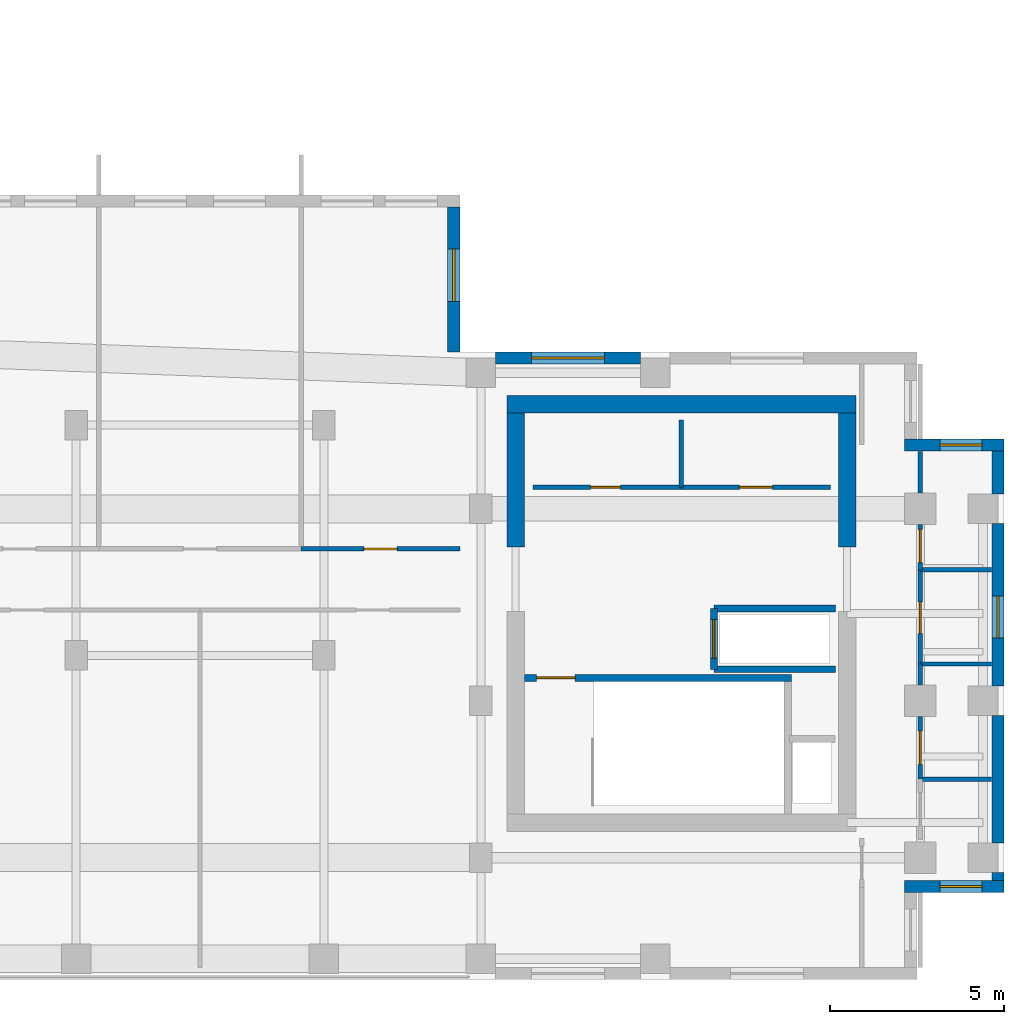
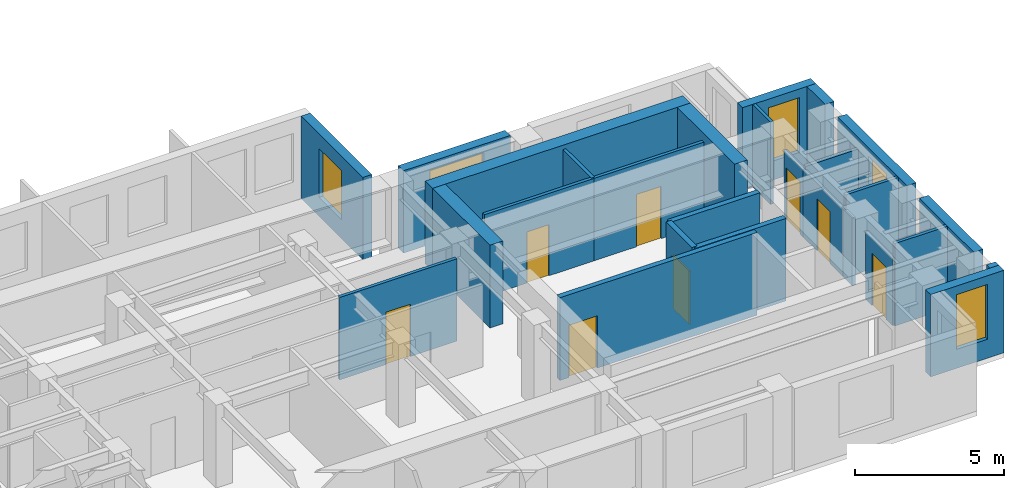
# One storey, part 9 of 13: 27 walls, 8 doors, 5 windows, 13 openings.
"""IFC4 building model written with IfcOpenShell, lengths in metres."""

from ifc_helpers import new_model, si_unit, direction, frame, frame_2d, origin, place, context, subcontext, project, spatial, rectangle, extrude, source, transform, mapped, material, layer, layer_set, type_object, element, fill, save


model = new_model("IFC4")

# Units and contexts
model_context = context("Model", 3, precision=1e-05, world=origin(), true_north=direction((0.0, 1.0)))
body_context = subcontext(model_context, "Body", "Model", "MODEL_VIEW")
ifc_project = project(units=[si_unit("LENGTHUNIT", "METRE"), si_unit("AREAUNIT", "SQUARE_METRE"), si_unit("VOLUMEUNIT", "CUBIC_METRE"), si_unit("PLANEANGLEUNIT", "RADIAN"), si_unit("MASSUNIT", "GRAM", prefix="KILO")], contexts=[model_context])

# Site, building, storey
site_placement = place(None, origin())
site = spatial("IfcSite", under=ifc_project, at=site_placement, CompositionType="ELEMENT")
building_placement = place(site_placement, origin())
building = spatial("IfcBuilding", under=site, at=building_placement, Name="Kharzan Plaza Tower", CompositionType="ELEMENT")
storey_placement = place(building_placement, frame((0.0, 0.0, 259.199951171875)))
storey = spatial("IfcBuildingStorey", under=building, at=storey_placement, Name="L70", CompositionType="ELEMENT", Elevation=259.199951171875)

# Wall, opening, window
ifc_material_1 = material(Name="Concrete C40/50", Category="concrete")
ifc_layer_1 = layer(ifc_material_1, 0.35009765625)
ifc_layer_set_1 = layer_set([ifc_layer_1], Name="Concrete C40/50")
wall_type_1 = type_object("IfcWallType", Name="WL-EXT-MAS-Z4", PredefinedType="SOLIDWALL", material=ifc_layer_set_1)
wall_1_placement = place(storey_placement, frame((47.14990234375, 2.675048828125, 0.0), z_axis=(0.0, 0.0, 1.0), x_axis=(1.0, 0.0, 0.0)))
wall_1 = element("IfcWall", 1, at=wall_1_placement, inside=storey, type_object=wall_type_1, Name="L70 Masonry-Frame Exterior Wall 33", PredefinedType="SOLIDWALL", context=body_context, shape_type="SweptSolid", body=[
    extrude(rectangle(XDim=2.85009765625, YDim=0.35009765625, at=frame_2d((1.425048828125, 0.0))), origin(), (0.0, 0.0, 1.0), 3.385009765625),
])
opening_1_placement = place(wall_1_placement, frame((1.014892578125, 0.0, 0.780029296875)))
opening_1 = element("IfcOpeningElement", 2, at=opening_1_placement, cuts=wall_1, Name="Opening W3", PredefinedType="OPENING", context=body_context, shape_type="SweptSolid", body=[
    extrude(rectangle(XDim=1.199951171875, YDim=2.25, at=frame_2d((0.60009765625, 1.125))), frame((0.0, 0.18505859375, 0.0), z_axis=(0.0, -1.0, 0.0), x_axis=(1.0, 0.0, 0.0)), (0.0, 0.0, 1.0), 0.3701171875),
])
ifc_material_2 = material(Name="Low-E Double Glazing", Category="glass")
window_type_1 = type_object("IfcWindowType", Name="WN-REC-1200x2100", PartitioningType="SINGLE_PANEL", PredefinedType="WINDOW", material=ifc_material_2)
shared_shape_1 = source(origin(), body_context, "Body", "SweptSolid", [
    extrude(rectangle(XDim=1.199951171875, YDim=2.25, at=frame_2d((0.60009765625, 1.125))), frame((0.0, 0.030029296875, 0.0), z_axis=(0.0, -1.0, 0.0), x_axis=(1.0, 0.0, 0.0)), (0.0, 0.0, 1.0), 0.06005859375),
])
window_1_placement = place(opening_1_placement, origin())
window_1 = element("IfcWindow", 3, at=window_1_placement, inside=storey, type_object=window_type_1, Name="L70 Recessed Solar-Control Window 33-1", OverallHeight=2.25, OverallWidth=1.199951171875, PartitioningType="SINGLE_PANEL", PredefinedType="WINDOW", context=body_context, shape_type="MappedRepresentation", body=[
    mapped(shared_shape_1, transform((0.0, 0.0, 0.0), x_axis=(1.0, 0.0, 0.0), y_axis=(0.0, 1.0, 0.0), z_axis=(0.0, 0.0, 1.0))),
])
fill(opening_1, window_1)

wall_2_placement = place(storey_placement, frame((49.824951171875, 8.423095703125, 0.0), z_axis=(0.0, 0.0, 1.0), x_axis=(0.0, 1.0, 0.0)))
wall_2 = element("IfcWall", 4, at=wall_2_placement, inside=storey, type_object=wall_type_1, Name="L70 Masonry-Frame Exterior Wall 36", PredefinedType="SOLIDWALL", context=body_context, shape_type="SweptSolid", body=[
    extrude(rectangle(XDim=4.65380859375, YDim=0.35009765625, at=frame_2d((2.326904296875, 0.0))), origin(), (0.0, 0.0, 1.0), 3.385009765625),
])
opening_2_placement = place(wall_2_placement, frame((1.376953125, 0.0, 0.780029296875)))
opening_2 = element("IfcOpeningElement", 5, at=opening_2_placement, cuts=wall_2, Name="Opening W3", PredefinedType="OPENING", context=body_context, shape_type="SweptSolid", body=[
    extrude(rectangle(XDim=1.199951171875, YDim=2.25, at=frame_2d((0.60009765625, 1.125))), frame((0.0, 0.18505859375, 0.0), z_axis=(0.0, -1.0, 0.0), x_axis=(1.0, 0.0, 0.0)), (0.0, 0.0, 1.0), 0.3701171875),
])
window_2_placement = place(opening_2_placement, origin())
window_2 = element("IfcWindow", 6, at=window_2_placement, inside=storey, type_object=window_type_1, Name="L70 Recessed Solar-Control Window 36-1", OverallHeight=2.25, OverallWidth=1.199951171875, PartitioningType="SINGLE_PANEL", PredefinedType="WINDOW", context=body_context, shape_type="MappedRepresentation", body=[
    mapped(shared_shape_1, transform((0.0, 0.0, 0.0), x_axis=(1.0, 0.0, 0.0), y_axis=(0.0, 1.0, 0.0), z_axis=(0.0, 0.0, 1.0))),
])
fill(opening_2, window_2)

wall_3_placement = place(storey_placement, frame((50.0, 15.324951171875, 0.0), z_axis=(0.0, 0.0, 1.0), x_axis=(-1.0, 0.0, 0.0)))
wall_3 = element("IfcWall", 7, at=wall_3_placement, inside=storey, type_object=wall_type_1, Name="L70 Masonry-Frame Exterior Wall 38", PredefinedType="SOLIDWALL", context=body_context, shape_type="SweptSolid", body=[
    extrude(rectangle(XDim=2.85009765625, YDim=0.35009765625, at=frame_2d((1.425048828125, 0.0))), origin(), (0.0, 0.0, 1.0), 3.385009765625),
])
opening_3_placement = place(wall_3_placement, frame((0.635009765625, 0.0, 0.780029296875)))
opening_3 = element("IfcOpeningElement", 8, at=opening_3_placement, cuts=wall_3, Name="Opening W3", PredefinedType="OPENING", context=body_context, shape_type="SweptSolid", body=[
    extrude(rectangle(XDim=1.199951171875, YDim=2.25, at=frame_2d((0.60009765625, 1.125))), frame((0.0, 0.18505859375, 0.0), z_axis=(0.0, -1.0, 0.0), x_axis=(1.0, 0.0, 0.0)), (0.0, 0.0, 1.0), 0.3701171875),
])
window_3_placement = place(opening_3_placement, origin())
window_3 = element("IfcWindow", 9, at=window_3_placement, inside=storey, type_object=window_type_1, Name="L70 Recessed Solar-Control Window 38-1", OverallHeight=2.25, OverallWidth=1.199951171875, PartitioningType="SINGLE_PANEL", PredefinedType="WINDOW", context=body_context, shape_type="MappedRepresentation", body=[
    mapped(shared_shape_1, transform((0.0, 0.0, 0.0), x_axis=(1.0, 0.0, 0.0), y_axis=(0.0, 1.0, 0.0), z_axis=(0.0, 0.0, 1.0))),
])
fill(opening_3, window_3)

wall_4_placement = place(storey_placement, frame((39.576904296875, 17.824951171875, 0.0), z_axis=(0.0, 0.0, 1.0), x_axis=(-1.0, 0.0, 0.0)))
wall_4 = element("IfcWall", 10, at=wall_4_placement, inside=storey, type_object=wall_type_1, Name="L70 Masonry-Frame Exterior Wall 41", PredefinedType="SOLIDWALL", context=body_context, shape_type="SweptSolid", body=[
    extrude(rectangle(XDim=4.15380859375, YDim=0.35009765625, at=frame_2d((2.076904296875, 0.0))), origin(), (0.0, 0.0, 1.0), 3.385009765625),
])
opening_4_placement = place(wall_4_placement, frame((1.027099609375, 0.0, 0.780029296875)))
opening_4 = element("IfcOpeningElement", 11, at=opening_4_placement, cuts=wall_4, Name="Opening W6", PredefinedType="OPENING", context=body_context, shape_type="SweptSolid", body=[
    extrude(rectangle(XDim=2.10009765625, YDim=2.25, at=frame_2d((1.050048828125, 1.125))), frame((0.0, 0.18505859375, 0.0), z_axis=(0.0, -1.0, 0.0), x_axis=(1.0, 0.0, 0.0)), (0.0, 0.0, 1.0), 0.3701171875),
])
window_type_2 = type_object("IfcWindowType", Name="WN-EXEC-2100x2250", PartitioningType="SINGLE_PANEL", PredefinedType="WINDOW", material=ifc_material_2)
shared_shape_2 = source(origin(), body_context, "Body", "SweptSolid", [
    extrude(rectangle(XDim=2.10009765625, YDim=2.25, at=frame_2d((1.050048828125, 1.125))), frame((0.0, 0.030029296875, 0.0), z_axis=(0.0, -1.0, 0.0), x_axis=(1.0, 0.0, 0.0)), (0.0, 0.0, 1.0), 0.06005859375),
])
window_4_placement = place(opening_4_placement, origin())
window_4 = element("IfcWindow", 12, at=window_4_placement, inside=storey, type_object=window_type_2, Name="L70 Recessed Solar-Control Window 41-1", OverallHeight=2.25, OverallWidth=2.10009765625, PartitioningType="SINGLE_PANEL", PredefinedType="WINDOW", context=body_context, shape_type="MappedRepresentation", body=[
    mapped(shared_shape_2, transform((0.0, 0.0, 0.0), x_axis=(1.0, 0.0, 0.0), y_axis=(0.0, 1.0, 0.0), z_axis=(0.0, 0.0, 1.0))),
])
fill(opening_4, window_4)

wall_5_placement = place(storey_placement, frame((34.22509765625, 17.998046875, 0.0), z_axis=(0.0, 0.0, 1.0), x_axis=(0.0, 1.0, 0.0)))
wall_5 = element("IfcWall", 13, at=wall_5_placement, inside=storey, type_object=wall_type_1, Name="L70 Masonry-Frame Exterior Wall 42", PredefinedType="SOLIDWALL", context=body_context, shape_type="SweptSolid", body=[
    extrude(rectangle(XDim=4.154052734375, YDim=0.35009765625, at=frame_2d((2.0771484375, 0.0))), origin(), (0.0, 0.0, 1.0), 3.385009765625),
])
opening_5_placement = place(wall_5_placement, frame((1.447021484375, 0.0, 0.780029296875)))
opening_5 = element("IfcOpeningElement", 14, at=opening_5_placement, cuts=wall_5, Name="Opening W5", PredefinedType="OPENING", context=body_context, shape_type="SweptSolid", body=[
    extrude(rectangle(XDim=1.5, YDim=2.0, at=frame_2d((0.75, 1.0))), frame((0.0, 0.18505859375, 0.0), z_axis=(0.0, -1.0, 0.0), x_axis=(1.0, 0.0, 0.0)), (0.0, 0.0, 1.0), 0.3701171875),
])
window_type_3 = type_object("IfcWindowType", Name="WN-SLT-1500x2000", PartitioningType="SINGLE_PANEL", PredefinedType="WINDOW", material=ifc_material_2)
shared_shape_3 = source(origin(), body_context, "Body", "SweptSolid", [
    extrude(rectangle(XDim=1.5, YDim=2.0, at=frame_2d((0.75, 1.0))), frame((0.0, 0.030029296875, 0.0), z_axis=(0.0, -1.0, 0.0), x_axis=(1.0, 0.0, 0.0)), (0.0, 0.0, 1.0), 0.06005859375),
])
window_5_placement = place(opening_5_placement, origin())
window_5 = element("IfcWindow", 15, at=window_5_placement, inside=storey, type_object=window_type_3, Name="L70 Recessed Solar-Control Window 42-1", OverallHeight=2.0, OverallWidth=1.5, PartitioningType="SINGLE_PANEL", PredefinedType="WINDOW", context=body_context, shape_type="MappedRepresentation", body=[
    mapped(shared_shape_3, transform((0.0, 0.0, 0.0), x_axis=(1.0, 0.0, 0.0), y_axis=(0.0, 1.0, 0.0), z_axis=(0.0, 0.0, 1.0))),
])
fill(opening_5, window_5)

# Wall, opening, door
ifc_material_3 = material(Name="Fire-Rated Gypsum Board Partition", Category="gypsum")
ifc_layer_2 = layer(ifc_material_3, 0.125)
ifc_layer_set_2 = layer_set([ifc_layer_2], Name="Fire-Rated Gypsum Board Partition")
wall_type_2 = type_object("IfcWallType", Name="WL-INT-PART-125", PredefinedType="PARTITIONING", material=ifc_layer_set_2)
wall_6_placement = place(storey_placement, frame((36.5, 14.1201171875, 0.0), z_axis=(0.0, 0.0, 1.0), x_axis=(1.0, 0.0, 0.0)))
wall_6 = element("IfcWall", 16, at=wall_6_placement, inside=storey, type_object=wall_type_2, Name="L70 Interior Partition CB-RBLS1", PredefinedType="PARTITIONING", context=body_context, shape_type="SweptSolid", body=[
    extrude(rectangle(XDim=4.25, YDim=0.125, at=frame_2d((2.125, 0.0))), origin(), (0.0, 0.0, 1.0), 3.385009765625),
])
opening_6_placement = place(wall_6_placement, frame((1.64990234375, 0.0, 0.0)))
opening_6 = element("IfcOpeningElement", 17, at=opening_6_placement, cuts=wall_6, Name="Opening RD1", PredefinedType="OPENING", context=body_context, shape_type="SweptSolid", body=[
    extrude(rectangle(XDim=0.85009765625, YDim=2.10009765625, at=frame_2d((0.425048828125, 1.050048828125))), frame((0.0, 0.072509765625, 0.0), z_axis=(0.0, -1.0, 0.0), x_axis=(1.0, 0.0, 0.0)), (0.0, 0.0, 1.0), 0.14501953125),
])
ifc_material_4 = material(Name="Powder-Coated Fire-Rated Steel", Category="steel")
door_type_1 = type_object("IfcDoorType", Name="DR-RISER-900", OperationType="NOTDEFINED", PredefinedType="DOOR", material=ifc_material_4)
shared_shape_4 = source(origin(), body_context, "Body", "SweptSolid", [
    extrude(rectangle(XDim=0.85009765625, YDim=2.10009765625, at=frame_2d((0.425048828125, 1.050048828125))), frame((0.0, 0.02490234375, 0.0), z_axis=(0.0, -1.0, 0.0), x_axis=(1.0, 0.0, 0.0)), (0.0, 0.0, 1.0), 0.050048828125),
])
door_1_placement = place(opening_6_placement, origin())
door_1 = element("IfcDoor", 18, at=door_1_placement, inside=storey, type_object=door_type_1, Name="L70 Archive Room Door", OperationType="SINGLE_SWING_RIGHT", OverallHeight=2.10009765625, OverallWidth=0.85009765625, PredefinedType="DOOR", context=body_context, shape_type="MappedRepresentation", body=[
    mapped(shared_shape_4, transform((0.0, 0.0, 0.0), x_axis=(1.0, 0.0, 0.0), y_axis=(0.0, 1.0, 0.0), z_axis=(0.0, 0.0, 1.0))),
])
fill(opening_6, door_1)

wall_7_placement = place(storey_placement, frame((40.75, 14.1201171875, 0.0), z_axis=(0.0, 0.0, 1.0), x_axis=(1.0, 0.0, 0.0)))
wall_7 = element("IfcWall", 19, at=wall_7_placement, inside=storey, type_object=wall_type_2, Name="L70 Interior Partition CB-RBLS2", PredefinedType="PARTITIONING", context=body_context, shape_type="SweptSolid", body=[
    extrude(rectangle(XDim=4.27001953125, YDim=0.125, at=frame_2d((2.135009765625, 0.0))), origin(), (0.0, 0.0, 1.0), 3.385009765625),
])
opening_7_placement = place(wall_7_placement, frame((1.659912109375, 0.0, 0.0)))
opening_7 = element("IfcOpeningElement", 20, at=opening_7_placement, cuts=wall_7, Name="Opening OD1", PredefinedType="OPENING", context=body_context, shape_type="SweptSolid", body=[
    extrude(rectangle(XDim=0.949951171875, YDim=2.14990234375, at=frame_2d((0.47509765625, 1.074951171875))), frame((0.0, 0.072509765625, 0.0), z_axis=(0.0, -1.0, 0.0), x_axis=(1.0, 0.0, 0.0)), (0.0, 0.0, 1.0), 0.14501953125),
])
ifc_material_5 = material(Name="Acoustic Solid-Core Stained Oak", Category="timber")
door_type_2 = type_object("IfcDoorType", Name="DR-OFF-SINGLE", OperationType="NOTDEFINED", PredefinedType="DOOR", material=ifc_material_5)
shared_shape_5 = source(origin(), body_context, "Body", "SweptSolid", [
    extrude(rectangle(XDim=0.949951171875, YDim=2.14990234375, at=frame_2d((0.47509765625, 1.074951171875))), frame((0.0, 0.02490234375, 0.0), z_axis=(0.0, -1.0, 0.0), x_axis=(1.0, 0.0, 0.0)), (0.0, 0.0, 1.0), 0.050048828125),
])
door_2_placement = place(opening_7_placement, origin())
door_2 = element("IfcDoor", 21, at=door_2_placement, inside=storey, type_object=door_type_2, Name="L70 Print Room Door", OperationType="SINGLE_SWING_LEFT", OverallHeight=2.14990234375, OverallWidth=0.949951171875, PredefinedType="DOOR", context=body_context, shape_type="MappedRepresentation", body=[
    mapped(shared_shape_5, transform((0.0, 0.0, 0.0), x_axis=(1.0, 0.0, 0.0), y_axis=(0.0, 1.0, 0.0), z_axis=(0.0, 0.0, 1.0))),
])
fill(opening_7, door_2)

wall_8_placement = place(storey_placement, frame((47.60009765625, 5.75, 0.0), z_axis=(0.0, 0.0, 1.0), x_axis=(0.0, 1.0, 0.0)))
wall_8 = element("IfcWall", 22, at=wall_8_placement, inside=storey, type_object=wall_type_2, Name="L70 Interior Partition SH-B3W1-S1", PredefinedType="PARTITIONING", context=body_context, shape_type="SweptSolid", body=[
    extrude(rectangle(XDim=1.800048828125, YDim=0.125, at=frame_2d((0.89990234375, 0.0))), origin(), (0.0, 0.0, 1.0), 2.77294921875),
])
opening_8_placement = place(wall_8_placement, frame((0.425048828125, 0.0, 0.0)))
opening_8 = element("IfcOpeningElement", 23, at=opening_8_placement, cuts=wall_8, Name="Opening OD1", PredefinedType="OPENING", context=body_context, shape_type="SweptSolid", body=[
    extrude(rectangle(XDim=0.949951171875, YDim=2.14990234375, at=frame_2d((0.47509765625, 1.074951171875))), frame((0.0, 0.072509765625, 0.0), z_axis=(0.0, -1.0, 0.0), x_axis=(1.0, 0.0, 0.0)), (0.0, 0.0, 1.0), 0.14501953125),
])
door_3_placement = place(opening_8_placement, origin())
door_3 = element("IfcDoor", 24, at=door_3_placement, inside=storey, type_object=door_type_2, Name="L70 Wing B Office 2 Door", OperationType="SINGLE_SWING_LEFT", OverallHeight=2.14990234375, OverallWidth=0.949951171875, PredefinedType="DOOR", context=body_context, shape_type="MappedRepresentation", body=[
    mapped(shared_shape_5, transform((0.0, 0.0, 0.0), x_axis=(1.0, 0.0, 0.0), y_axis=(0.0, 1.0, 0.0), z_axis=(0.0, 0.0, 1.0))),
])
fill(opening_8, door_3)

wall_9_placement = place(storey_placement, frame((47.60009765625, 11.75, 0.0), z_axis=(0.0, 0.0, 1.0), x_axis=(0.0, 1.0, 0.0)))
wall_9 = element("IfcWall", 25, at=wall_9_placement, inside=storey, type_object=wall_type_2, Name="L70 Interior Partition SH-B3W2-S1", PredefinedType="PARTITIONING", context=body_context, shape_type="SweptSolid", body=[
    extrude(rectangle(XDim=1.300048828125, YDim=0.125, at=frame_2d((0.64990234375, 0.0))), origin(), (0.0, 0.0, 1.0), 2.77294921875),
])
opening_9_placement = place(wall_9_placement, frame((0.2099609375, 0.0, 0.0)))
opening_9 = element("IfcOpeningElement", 26, at=opening_9_placement, cuts=wall_9, Name="Opening OD1", PredefinedType="OPENING", context=body_context, shape_type="SweptSolid", body=[
    extrude(rectangle(XDim=0.949951171875, YDim=2.14990234375, at=frame_2d((0.47509765625, 1.074951171875))), frame((0.0, 0.072509765625, 0.0), z_axis=(0.0, -1.0, 0.0), x_axis=(1.0, 0.0, 0.0)), (0.0, 0.0, 1.0), 0.14501953125),
])
door_4_placement = place(opening_9_placement, origin())
door_4 = element("IfcDoor", 27, at=door_4_placement, inside=storey, type_object=door_type_2, Name="L70 Wing B Office 3 Door", OperationType="SINGLE_SWING_LEFT", OverallHeight=2.14990234375, OverallWidth=0.949951171875, PredefinedType="DOOR", context=body_context, shape_type="MappedRepresentation", body=[
    mapped(shared_shape_5, transform((0.0, 0.0, 0.0), x_axis=(1.0, 0.0, 0.0), y_axis=(0.0, 1.0, 0.0), z_axis=(0.0, 0.0, 1.0))),
])
fill(opening_9, door_4)

wall_10_placement = place(storey_placement, frame((47.60009765625, 9.050048828125, 0.0), z_axis=(0.0, 0.0, 1.0), x_axis=(0.0, 1.0, 0.0)))
wall_10 = element("IfcWall", 28, at=wall_10_placement, inside=storey, type_object=wall_type_2, Name="L70 Interior Partition SH-B3WC", PredefinedType="PARTITIONING", context=body_context, shape_type="SweptSolid", body=[
    extrude(rectangle(XDim=2.699951171875, YDim=0.125, at=frame_2d((1.35009765625, 0.0))), origin(), (0.0, 0.0, 1.0), 2.77294921875),
])
opening_10_placement = place(wall_10_placement, frame((0.875, 0.0, 0.0)))
opening_10 = element("IfcOpeningElement", 29, at=opening_10_placement, cuts=wall_10, Name="Opening WD1", PredefinedType="OPENING", context=body_context, shape_type="SweptSolid", body=[
    extrude(rectangle(XDim=0.89990234375, YDim=2.14990234375, at=frame_2d((0.449951171875, 1.074951171875))), frame((0.0, 0.072509765625, 0.0), z_axis=(0.0, -1.0, 0.0), x_axis=(1.0, 0.0, 0.0)), (0.0, 0.0, 1.0), 0.14501953125),
])
ifc_material_6 = material(Name="Moisture-Resistant Fire-Rated Laminate", Category="timber")
door_type_3 = type_object("IfcDoorType", Name="DR-WC-900", OperationType="NOTDEFINED", PredefinedType="DOOR", material=ifc_material_6)
shared_shape_6 = source(origin(), body_context, "Body", "SweptSolid", [
    extrude(rectangle(XDim=0.89990234375, YDim=2.14990234375, at=frame_2d((0.449951171875, 1.074951171875))), frame((0.0, 0.02490234375, 0.0), z_axis=(0.0, -1.0, 0.0), x_axis=(1.0, 0.0, 0.0)), (0.0, 0.0, 1.0), 0.050048828125),
])
door_5_placement = place(opening_10_placement, origin())
door_5 = element("IfcDoor", 30, at=door_5_placement, inside=storey, type_object=door_type_3, Name="L70 Wing B Washroom Door", OperationType="SINGLE_SWING_LEFT", OverallHeight=2.14990234375, OverallWidth=0.89990234375, PredefinedType="DOOR", context=body_context, shape_type="MappedRepresentation", body=[
    mapped(shared_shape_6, transform((0.0, 0.0, 0.0), x_axis=(1.0, 0.0, 0.0), y_axis=(0.0, 1.0, 0.0), z_axis=(0.0, 0.0, 1.0))),
])
fill(opening_10, door_5)

wall_11_placement = place(storey_placement, frame((29.85009765625, 12.35009765625, 0.0), z_axis=(0.0, 0.0, 1.0), x_axis=(1.0, 0.0, 0.0)))
wall_11 = element("IfcWall", 31, at=wall_11_placement, inside=storey, type_object=wall_type_2, Name="L70 Interior Partition SH-SPNE1", PredefinedType="PARTITIONING", context=body_context, shape_type="SweptSolid", body=[
    extrude(rectangle(XDim=4.5498046875, YDim=0.125, at=frame_2d((2.27490234375, 0.0))), origin(), (0.0, 0.0, 1.0), 3.385009765625),
])
opening_11_placement = place(wall_11_placement, frame((1.800048828125, 0.0, 0.0)))
opening_11 = element("IfcOpeningElement", 32, at=opening_11_placement, cuts=wall_11, Name="Opening OD1", PredefinedType="OPENING", context=body_context, shape_type="SweptSolid", body=[
    extrude(rectangle(XDim=0.949951171875, YDim=2.14990234375, at=frame_2d((0.47509765625, 1.074951171875))), frame((0.0, 0.072509765625, 0.0), z_axis=(0.0, -1.0, 0.0), x_axis=(1.0, 0.0, 0.0)), (0.0, 0.0, 1.0), 0.14501953125),
])
door_6_placement = place(opening_11_placement, origin())
door_6 = element("IfcDoor", 33, at=door_6_placement, inside=storey, type_object=door_type_2, Name="L70 North-East Spine Door", OperationType="SINGLE_SWING_RIGHT", OverallHeight=2.14990234375, OverallWidth=0.949951171875, PredefinedType="DOOR", context=body_context, shape_type="MappedRepresentation", body=[
    mapped(shared_shape_5, transform((0.0, 0.0, 0.0), x_axis=(1.0, 0.0, 0.0), y_axis=(0.0, 1.0, 0.0), z_axis=(0.0, 0.0, 1.0))),
])
fill(opening_11, door_6)

ifc_layer_3 = layer(ifc_material_1, 0.199951171875)
ifc_layer_set_3 = layer_set([ifc_layer_3], Name="Concrete C40/50")
wall_type_3 = type_object("IfcWallType", Name="WL-INT-SHAFT-200", PredefinedType="PARTITIONING", material=ifc_layer_set_3)
wall_12_placement = place(storey_placement, frame((41.679931640625, 8.89990234375, 0.0), z_axis=(0.0, 0.0, 1.0), x_axis=(0.0, 1.0, 0.0)))
wall_12 = element("IfcWall", 34, at=wall_12_placement, inside=storey, type_object=wall_type_3, Name="L70 Interior Partition SHF-SVL-2-W", PredefinedType="PARTITIONING", context=body_context, shape_type="SweptSolid", body=[
    extrude(rectangle(XDim=1.739990234375, YDim=0.199951171875, at=frame_2d((0.8701171875, 0.0))), origin(), (0.0, 0.0, 1.0), 3.385009765625),
])
opening_12_placement = place(wall_12_placement, frame((0.320068359375, 0.0, 0.0)))
opening_12 = element("IfcOpeningElement", 35, at=opening_12_placement, cuts=wall_12, Name="Opening LD", PredefinedType="OPENING", context=body_context, shape_type="SweptSolid", body=[
    extrude(rectangle(XDim=1.10009765625, YDim=2.199951171875, at=frame_2d((0.550048828125, 1.10009765625))), frame((0.0, 0.10986328125, 0.0), z_axis=(0.0, -1.0, 0.0), x_axis=(1.0, 0.0, 0.0)), (0.0, 0.0, 1.0), 0.219970703125),
])
ifc_material_7 = material(Name="Brushed Stainless Steel", Category="steel")
door_type_4 = type_object("IfcDoorType", Name="DR-LIFT-SLIDE", OperationType="SLIDING_TO_LEFT", PredefinedType="DOOR", material=ifc_material_7)
shared_shape_7 = source(origin(), body_context, "Body", "SweptSolid", [
    extrude(rectangle(XDim=1.10009765625, YDim=2.199951171875, at=frame_2d((0.550048828125, 1.10009765625))), frame((0.0, 0.02490234375, 0.0), z_axis=(0.0, -1.0, 0.0), x_axis=(1.0, 0.0, 0.0)), (0.0, 0.0, 1.0), 0.050048828125),
])
door_7_placement = place(opening_12_placement, origin())
door_7 = element("IfcDoor", 36, at=door_7_placement, inside=storey, type_object=door_type_4, Name="L70 Service Lift SVL-2 Sliding Landing Door", OperationType="SLIDING_TO_LEFT", OverallHeight=2.199951171875, OverallWidth=1.10009765625, PredefinedType="DOOR", context=body_context, shape_type="MappedRepresentation", body=[
    mapped(shared_shape_7, transform((0.0, 0.0, 0.0), x_axis=(1.0, 0.0, 0.0), y_axis=(0.0, 1.0, 0.0), z_axis=(0.0, 0.0, 1.0))),
])
fill(opening_12, door_7)

ifc_material_8 = material(Name="Concrete C50/60", Category="concrete")
ifc_layer_4 = layer(ifc_material_8, 0.199951171875)
ifc_layer_set_4 = layer_set([ifc_layer_4], Name="Concrete C50/60")
wall_type_4 = type_object("IfcWallType", Name="WL-SHAFT-RC200", PredefinedType="SHEAR", material=ifc_layer_set_4)
wall_13_placement = place(storey_placement, frame((36.251953125, 8.655029296875, 0.0), z_axis=(0.0, 0.0, 1.0), x_axis=(1.0, 0.0, 0.0)))
wall_13 = element("IfcWall", 37, at=wall_13_placement, inside=storey, type_object=wall_type_4, Name="L70 Stair ST-3 North RC Shaft Wall", PredefinedType="SHEAR", context=body_context, shape_type="SweptSolid", body=[
    extrude(rectangle(XDim=7.653076171875, YDim=0.199951171875, at=frame_2d((3.82666015625, 0.0))), origin(), (0.0, 0.0, 1.0), 3.400146484375),
])
opening_13_placement = place(wall_13_placement, frame((0.35009765625, 0.0, 0.0)))
opening_13 = element("IfcOpeningElement", 38, at=opening_13_placement, cuts=wall_13, Name="Opening SD1", PredefinedType="OPENING", context=body_context, shape_type="SweptSolid", body=[
    extrude(rectangle(XDim=1.10009765625, YDim=2.14990234375, at=frame_2d((0.550048828125, 1.074951171875))), frame((0.0, 0.10986328125, 0.0), z_axis=(0.0, -1.0, 0.0), x_axis=(1.0, 0.0, 0.0)), (0.0, 0.0, 1.0), 0.219970703125),
])
ifc_material_9 = material(Name="Fire-Rated Hollow Galvanized Steel", Category="steel")
door_type_5 = type_object("IfcDoorType", Name="DR-STAIR-FD120", OperationType="NOTDEFINED", PredefinedType="DOOR", material=ifc_material_9)
shared_shape_8 = source(origin(), body_context, "Body", "SweptSolid", [
    extrude(rectangle(XDim=1.10009765625, YDim=2.14990234375, at=frame_2d((0.550048828125, 1.074951171875))), frame((0.0, 0.02490234375, 0.0), z_axis=(0.0, -1.0, 0.0), x_axis=(1.0, 0.0, 0.0)), (0.0, 0.0, 1.0), 0.050048828125),
])
door_8_placement = place(opening_13_placement, origin())
door_8 = element("IfcDoor", 39, at=door_8_placement, inside=storey, type_object=door_type_5, Name="L70 Stair ST-3 Fire Exit Door", OperationType="SINGLE_SWING_LEFT", OverallHeight=2.14990234375, OverallWidth=1.10009765625, PredefinedType="DOOR", context=body_context, shape_type="MappedRepresentation", body=[
    mapped(shared_shape_8, transform((0.0, 0.0, 0.0), x_axis=(1.0, 0.0, 0.0), y_axis=(0.0, 1.0, 0.0), z_axis=(0.0, 0.0, 1.0))),
])
fill(opening_13, door_8)

# Walls
shared_shape_9 = source(origin(), body_context, "Body", "SweptSolid", [
    extrude(rectangle(XDim=1.929931640625, YDim=0.125, at=frame_2d((0.96484375, 0.0))), origin(), (0.0, 0.0, 1.0), 3.385009765625),
])
wall_14_placement = place(storey_placement, frame((40.75, 14.1201171875, 0.0), z_axis=(0.0, 0.0, 1.0), x_axis=(0.0, 1.0, 0.0)))
element("IfcWall", 40, at=wall_14_placement, inside=storey, type_object=wall_type_2, Name="L70 Interior Partition CB-RBLM1", PredefinedType="PARTITIONING", context=body_context, shape_type="MappedRepresentation", body=[
    mapped(shared_shape_9, transform((0.0, 0.0, 0.0), x_axis=(1.0, 0.0, 0.0), y_axis=(0.0, 1.0, 0.0), z_axis=(0.0, 0.0, 1.0))),
])
shared_shape_10 = source(origin(), body_context, "Body", "SweptSolid", [
    extrude(rectangle(XDim=3.489990234375, YDim=0.199951171875, at=frame_2d((1.7451171875, 0.0))), origin(), (0.0, 0.0, 1.0), 3.385009765625),
])
for number, where, z_axis, x_axis, name in (
    (41, (41.679931640625, 10.639892578125, 0.0), (0.0, 0.0, 1.0), (1.0, 0.0, 0.0), "L70 Interior Partition SHF-SVL-2-N"),
    (42, (41.679931640625, 8.89990234375, 0.0), (0.0, 0.0, 1.0), (1.0, 0.0, 0.0), "L70 Interior Partition SHF-SVL-2-S"),
):
    element("IfcWall", number, at=place(storey_placement, frame(where, z_axis=z_axis, x_axis=x_axis)), inside=storey, type_object=wall_type_3, Name=name, PredefinedType="PARTITIONING", context=body_context, shape_type="MappedRepresentation", body=[
        mapped(shared_shape_10, transform((0.0, 0.0, 0.0), x_axis=(1.0, 0.0, 0.0), y_axis=(0.0, 1.0, 0.0), z_axis=(0.0, 0.0, 1.0))),
    ])
ifc_layer_5 = layer(ifc_material_8, 0.5)
ifc_layer_set_5 = layer_set([ifc_layer_5], Name="Concrete C50/60")
wall_type_5 = type_object("IfcWallType", Name="WL-CORE-500", PredefinedType="SHEAR", material=ifc_layer_set_5)
shared_shape_11 = source(origin(), body_context, "Body", "SweptSolid", [
    extrude(rectangle(XDim=3.85009765625, YDim=0.5, at=frame_2d((1.925048828125, 0.0))), origin(), (0.0, 0.0, 1.0), 3.400146484375),
])
for number, where, z_axis, x_axis, name in (
    (43, (45.5, 12.39990234375, 0.0), (0.0, 0.0, 1.0), (0.0, 1.0, 0.0), "L70 CORE-B east shear pier 2"),
    (44, (36.0, 12.39990234375, 0.0), (0.0, 0.0, 1.0), (0.0, 1.0, 0.0), "L70 CORE-B west shear pier 2"),
):
    element("IfcWall", number, at=place(storey_placement, frame(where, z_axis=z_axis, x_axis=x_axis)), inside=storey, type_object=wall_type_5, Name=name, PredefinedType="SHEAR", context=body_context, shape_type="MappedRepresentation", body=[
        mapped(shared_shape_11, transform((0.0, 0.0, 0.0), x_axis=(1.0, 0.0, 0.0), y_axis=(0.0, 1.0, 0.0), z_axis=(0.0, 0.0, 1.0))),
    ])
shared_shape_12 = source(origin(), body_context, "Body", "SweptSolid", [
    extrude(rectangle(XDim=10.0, YDim=0.5, at=frame_2d((5.0, 0.0))), origin(), (0.0, 0.0, 1.0), 3.400146484375),
])
wall_15_placement = place(storey_placement, frame((35.75, 16.5, 0.0), z_axis=(0.0, 0.0, 1.0), x_axis=(1.0, 0.0, 0.0)))
element("IfcWall", 45, at=wall_15_placement, inside=storey, type_object=wall_type_5, Name="L70 CORE-B north RC shear wall", PredefinedType="SHEAR", context=body_context, shape_type="MappedRepresentation", body=[
    mapped(shared_shape_12, transform((0.0, 0.0, 0.0), x_axis=(1.0, 0.0, 0.0), y_axis=(0.0, 1.0, 0.0), z_axis=(0.0, 0.0, 1.0))),
])
shared_shape_13 = source(origin(), body_context, "Body", "SweptSolid", [
    extrude(rectangle(XDim=0.22900390625, YDim=0.35009765625, at=frame_2d((0.114501953125, 0.0))), origin(), (0.0, 0.0, 1.0), 3.385009765625),
])
wall_16_placement = place(storey_placement, frame((49.824951171875, 2.847900390625, 0.0), z_axis=(0.0, 0.0, 1.0), x_axis=(0.0, 1.0, 0.0)))
element("IfcWall", 46, at=wall_16_placement, inside=storey, type_object=wall_type_1, Name="L70 Masonry-Frame Exterior Wall 34", PredefinedType="SOLIDWALL", context=body_context, shape_type="MappedRepresentation", body=[
    mapped(shared_shape_13, transform((0.0, 0.0, 0.0), x_axis=(1.0, 0.0, 0.0), y_axis=(0.0, 1.0, 0.0), z_axis=(0.0, 0.0, 1.0))),
])
shared_shape_14 = source(origin(), body_context, "Body", "SweptSolid", [
    extrude(rectangle(XDim=3.65380859375, YDim=0.35009765625, at=frame_2d((1.826904296875, 0.0))), origin(), (0.0, 0.0, 1.0), 3.385009765625),
])
wall_17_placement = place(storey_placement, frame((49.824951171875, 3.923095703125, 0.0), z_axis=(0.0, 0.0, 1.0), x_axis=(0.0, 1.0, 0.0)))
element("IfcWall", 47, at=wall_17_placement, inside=storey, type_object=wall_type_1, Name="L70 Masonry-Frame Exterior Wall 35", PredefinedType="SOLIDWALL", context=body_context, shape_type="MappedRepresentation", body=[
    mapped(shared_shape_14, transform((0.0, 0.0, 0.0), x_axis=(1.0, 0.0, 0.0), y_axis=(0.0, 1.0, 0.0), z_axis=(0.0, 0.0, 1.0))),
])
shared_shape_15 = source(origin(), body_context, "Body", "SweptSolid", [
    extrude(rectangle(XDim=1.22900390625, YDim=0.35009765625, at=frame_2d((0.614501953125, 0.0))), origin(), (0.0, 0.0, 1.0), 3.385009765625),
])
wall_18_placement = place(storey_placement, frame((49.824951171875, 13.923095703125, 0.0), z_axis=(0.0, 0.0, 1.0), x_axis=(0.0, 1.0, 0.0)))
element("IfcWall", 48, at=wall_18_placement, inside=storey, type_object=wall_type_1, Name="L70 Masonry-Frame Exterior Wall 37", PredefinedType="SOLIDWALL", context=body_context, shape_type="MappedRepresentation", body=[
    mapped(shared_shape_15, transform((0.0, 0.0, 0.0), x_axis=(1.0, 0.0, 0.0), y_axis=(0.0, 1.0, 0.0), z_axis=(0.0, 0.0, 1.0))),
])
shared_shape_16 = source(origin(), body_context, "Body", "SweptSolid", [
    extrude(rectangle(XDim=2.0478515625, YDim=0.125, at=frame_2d((1.02392578125, 0.0))), origin(), (0.0, 0.0, 1.0), 3.385009765625),
])
for number, where, z_axis, x_axis, name in (
    (49, (47.60009765625, 5.75, 0.0), (0.0, 0.0, 1.0), (1.0, 0.0, 0.0), "L70 Interior Partition SH-B3H-57"),
    (50, (47.60009765625, 9.050048828125, 0.0), (0.0, 0.0, 1.0), (1.0, 0.0, 0.0), "L70 Interior Partition SH-B3H-90"),
):
    element("IfcWall", number, at=place(storey_placement, frame(where, z_axis=z_axis, x_axis=x_axis)), inside=storey, type_object=wall_type_2, Name=name, PredefinedType="PARTITIONING", context=body_context, shape_type="MappedRepresentation", body=[
        mapped(shared_shape_16, transform((0.0, 0.0, 0.0), x_axis=(1.0, 0.0, 0.0), y_axis=(0.0, 1.0, 0.0), z_axis=(0.0, 0.0, 1.0))),
    ])
shared_shape_17 = source(origin(), body_context, "Body", "SweptSolid", [
    extrude(rectangle(XDim=1.197998046875, YDim=0.125, at=frame_2d((0.59912109375, 0.0))), origin(), (0.0, 0.0, 1.0), 3.385009765625),
])
wall_19_placement = place(storey_placement, frame((47.60009765625, 13.949951171875, 0.0), z_axis=(0.0, 0.0, 1.0), x_axis=(0.0, 1.0, 0.0)))
element("IfcWall", 51, at=wall_19_placement, inside=storey, type_object=wall_type_2, Name="L70 Interior Partition SH-B3W2-S2", PredefinedType="PARTITIONING", context=body_context, shape_type="MappedRepresentation", body=[
    mapped(shared_shape_17, transform((0.0, 0.0, 0.0), x_axis=(1.0, 0.0, 0.0), y_axis=(0.0, 1.0, 0.0), z_axis=(0.0, 0.0, 1.0))),
])
shared_shape_18 = source(origin(), body_context, "Body", "SweptSolid", [
    extrude(rectangle(XDim=2.0478515625, YDim=0.125, at=frame_2d((1.02392578125, 0.0))), origin(), (0.0, 0.0, 1.0), 2.916015625),
])
wall_20_placement = place(storey_placement, frame((47.60009765625, 11.75, 0.0), z_axis=(0.0, 0.0, 1.0), x_axis=(1.0, 0.0, 0.0)))
element("IfcWall", 52, at=wall_20_placement, inside=storey, type_object=wall_type_2, Name="L70 Interior Partition SH-B3H-117", PredefinedType="PARTITIONING", context=body_context, shape_type="MappedRepresentation", body=[
    mapped(shared_shape_18, transform((0.0, 0.0, 0.0), x_axis=(1.0, 0.0, 0.0), y_axis=(0.0, 1.0, 0.0), z_axis=(0.0, 0.0, 1.0))),
])
shared_shape_19 = source(origin(), body_context, "Body", "SweptSolid", [
    extrude(rectangle(XDim=0.60009765625, YDim=0.125, at=frame_2d((0.300048828125, 0.0))), origin(), (0.0, 0.0, 1.0), 2.77294921875),
])
wall_21_placement = place(storey_placement, frame((47.60009765625, 8.449951171875, 0.0), z_axis=(0.0, 0.0, 1.0), x_axis=(0.0, 1.0, 0.0)))
element("IfcWall", 53, at=wall_21_placement, inside=storey, type_object=wall_type_2, Name="L70 Interior Partition SH-B3W1-S2", PredefinedType="PARTITIONING", context=body_context, shape_type="MappedRepresentation", body=[
    mapped(shared_shape_19, transform((0.0, 0.0, 0.0), x_axis=(1.0, 0.0, 0.0), y_axis=(0.0, 1.0, 0.0), z_axis=(0.0, 0.0, 1.0))),
])

save(model, "model.ifc")
